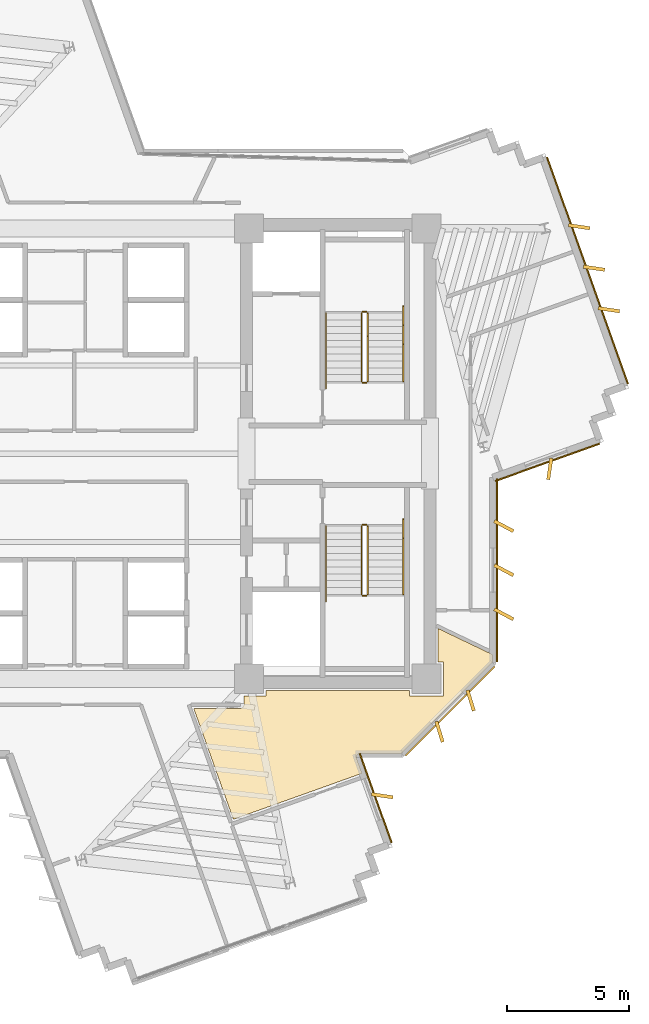
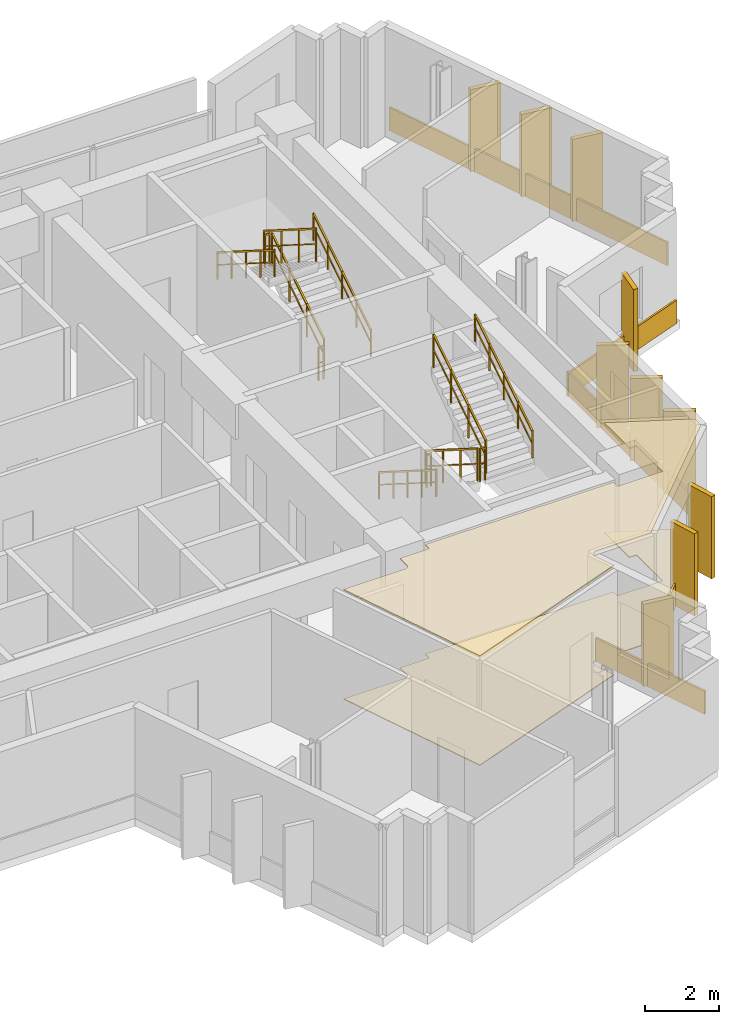
# One storey, part 12 of 13: 17 coverings, 12 railings.
"""IFC4 building model written with IfcOpenShell, lengths in metres."""

import ifcopenshell
import ifcopenshell.guid

model = None  # the IFC model being written
_history = None  # IfcOwnerHistory: only IFC2X3 demands one
_inside = {}  # id of a spatial element -> (the spatial element, [elements in it])
_under = {}  # id of a project, library or spatial element -> (it, [spatial elements below it])
_declared = {}  # id of a project -> (the project, [libraries it declares])
_typed = {}  # id of a type object -> (the type object, [elements of that type])
_made_of = {}  # id of a material, layer set ... -> (it, [elements and type objects made of it])


def new_model(schema):
    """Start an empty IFC model of exactly this schema.

    Asked for "IFC4X3", IfcOpenShell would pick the latest addendum, in which some entities
    have other attributes; the version numbers below select the first issue.
    IFC2X3 requires an IfcOwnerHistory on every rooted entity: one is made here for all.
    """
    global model, _history
    if schema == "IFC4X3":
        model = ifcopenshell.file(schema_version=(4, 3, 0, 0))
    else:
        model = ifcopenshell.file(schema=schema)
    _inside.clear()
    _under.clear()
    _declared.clear()
    _typed.clear()
    _made_of.clear()
    _history = None
    if model.schema == "IFC2X3":
        org = make("IfcOrganization", Name="unknown")
        user = make(
            "IfcPersonAndOrganization",
            ThePerson=make("IfcPerson", FamilyName="unknown"),
            TheOrganization=org,
        )
        app = make(
            "IfcApplication",
            ApplicationDeveloper=org,
            Version="unknown",
            ApplicationFullName="unknown",
            ApplicationIdentifier="unknown",
        )
        _history = make(
            "IfcOwnerHistory",
            OwningUser=user,
            OwningApplication=app,
            ChangeAction="ADDED",
            CreationDate=0,
        )
    return model


def make(cls, **values):
    """One entity of the class cls with the attributes given. An attribute that is None is left unset."""
    return model.create_entity(
        cls, **{name: value for name, value in values.items() if value is not None}
    )


def rooted(cls, **values):
    """An entity with a GlobalId (a new one), such as an element, a storey or a relation."""
    return make(cls, GlobalId=ifcopenshell.guid.new(), OwnerHistory=_history, **values)


def si_unit(unit_type, name, prefix=None):
    """IfcSIUnit, for example si_unit("LENGTHUNIT", "METRE", prefix="MILLI")."""
    return make("IfcSIUnit", UnitType=unit_type, Prefix=prefix, Name=name)


def assignment(units):
    """IfcUnitAssignment: the units of a project."""
    return None if units is None else make("IfcUnitAssignment", Units=units)


def point(xyz):
    """IfcCartesianPoint."""
    return None if xyz is None else make("IfcCartesianPoint", Coordinates=xyz)


def direction(xyz):
    """IfcDirection."""
    return None if xyz is None else make("IfcDirection", DirectionRatios=xyz)


def frame(location, z_axis=None, x_axis=None):
    """IfcAxis2Placement3D, a coordinate frame: its origin and axes. An axis left out is left unset."""
    return make(
        "IfcAxis2Placement3D",
        Location=point(location),
        Axis=direction(z_axis),
        RefDirection=direction(x_axis),
    )


def frame_2d(location, x_axis=None):
    """IfcAxis2Placement2D, a coordinate frame in the plane: its origin and x axis."""
    return make(
        "IfcAxis2Placement2D", Location=point(location), RefDirection=direction(x_axis)
    )


def origin():
    """The frame at (0, 0, 0) with its axes left unset."""
    return frame((0.0, 0.0, 0.0))


def origin_2d():
    """The frame at (0, 0) in the plane with its x axis left unset."""
    return frame_2d((0.0, 0.0))


def place(relative_to, where):
    """IfcLocalPlacement: puts the frame where relative to a parent placement (None: the world)."""
    return make(
        "IfcLocalPlacement", PlacementRelTo=relative_to, RelativePlacement=where
    )


def context(
    kind, dimensions, precision=None, world=None, true_north=None, identifier=None
):
    """IfcGeometricRepresentationContext, for example the 3D "Model" context."""
    return make(
        "IfcGeometricRepresentationContext",
        ContextIdentifier=identifier,
        ContextType=kind,
        CoordinateSpaceDimension=dimensions,
        Precision=precision,
        WorldCoordinateSystem=world,
        TrueNorth=true_north,
    )


def subcontext(parent, identifier, kind, view, scale=None):
    """IfcGeometricRepresentationSubContext, for example "Body" below "Model"."""
    return make(
        "IfcGeometricRepresentationSubContext",
        ContextIdentifier=identifier,
        ContextType=kind,
        ParentContext=parent,
        TargetScale=scale,
        TargetView=view,
    )


def project(units=None, contexts=None):
    """IfcProject with its units and contexts."""
    return rooted(
        "IfcProject",
        Name="project",
        RepresentationContexts=contexts,
        UnitsInContext=assignment(units),
    )


def spatial(cls, under=None, at=None, **own):
    """A site, building, storey or space (cls), placed at a placement, below another one or the project."""
    s = rooted(cls, ObjectPlacement=at, **own)
    if under is not None:
        _under.setdefault(under.id(), (under, []))[1].append(s)
    return s


def polyline(points):
    """IfcPolyline through the points."""
    return make("IfcPolyline", Points=[point(p) for p in points])


def profile(cls, at=None, kind="AREA", **sizes):
    """A parametric profile (cls). Its sizes go by their IFC names, for example OverallWidth=200.0."""
    return make(cls, ProfileType=kind, Position=at, **sizes)


def rectangle(**sizes):
    """IfcRectangleProfileDef."""
    return profile("IfcRectangleProfileDef", **sizes)


def outline(outer, holes=None, kind="AREA"):
    """IfcArbitraryClosedProfileDef: a profile drawn as a closed curve; with holes, ...WithVoids."""
    if holes is None:
        return make("IfcArbitraryClosedProfileDef", ProfileType=kind, OuterCurve=outer)
    return make(
        "IfcArbitraryProfileDefWithVoids",
        ProfileType=kind,
        OuterCurve=outer,
        InnerCurves=holes,
    )


def extrude(swept, where, along, depth):
    """IfcExtrudedAreaSolid: the profile swept, set in the frame where, extruded along a direction by depth."""
    return make(
        "IfcExtrudedAreaSolid",
        SweptArea=swept,
        Position=where,
        ExtrudedDirection=direction(along),
        Depth=depth,
    )


def shape(context_of_items, identifier, shape_type, items):
    """IfcShapeRepresentation: the items that make up one representation, for example the "Body"."""
    return make(
        "IfcShapeRepresentation",
        ContextOfItems=context_of_items,
        RepresentationIdentifier=identifier,
        RepresentationType=shape_type,
        Items=items,
    )


def source(mapping_origin, context_of_items, identifier, shape_type, items):
    """IfcRepresentationMap: a shape defined once, which mapped items show again and again."""
    return make(
        "IfcRepresentationMap",
        MappingOrigin=mapping_origin,
        MappedRepresentation=shape(context_of_items, identifier, shape_type, items),
    )


def transform(
    local_origin,
    x_axis=None,
    y_axis=None,
    z_axis=None,
    scale=None,
    scale2=None,
    scale3=None,
    uniform=True,
):
    """IfcCartesianTransformationOperator3D, or its non-uniform kind. x_axis, y_axis, z_axis: its Axis1, 2, 3."""
    if uniform:
        return make(
            "IfcCartesianTransformationOperator3D",
            Axis1=direction(x_axis),
            Axis2=direction(y_axis),
            LocalOrigin=point(local_origin),
            Scale=scale,
            Axis3=direction(z_axis),
        )
    return make(
        "IfcCartesianTransformationOperator3DnonUniform",
        Axis1=direction(x_axis),
        Axis2=direction(y_axis),
        LocalOrigin=point(local_origin),
        Scale=scale,
        Axis3=direction(z_axis),
        Scale2=scale2,
        Scale3=scale3,
    )


def mapped(mapping_source, mapping_target):
    """IfcMappedItem: shows the shape of a source again, moved by a transform."""
    return make(
        "IfcMappedItem", MappingSource=mapping_source, MappingTarget=mapping_target
    )


def material(Name=None, Category=None):
    """IfcMaterial."""
    return make("IfcMaterial", Name=Name, Category=Category)


def layer(
    of_material, thickness, ventilated=None, Name=None, Category=None, Priority=None
):
    """IfcMaterialLayer: one layer of a wall or slab, of a material (None: an air gap)."""
    return make(
        "IfcMaterialLayer",
        Material=of_material,
        LayerThickness=thickness,
        IsVentilated=ventilated,
        Name=Name,
        Category=Category,
        Priority=Priority,
    )


def layer_set(layers, Name=None):
    """IfcMaterialLayerSet."""
    return make("IfcMaterialLayerSet", MaterialLayers=layers, LayerSetName=Name)


def made_of(thing, what):
    """Note that an element or type object is made of a material, layer set ...; save() writes the relation."""
    if what is not None:
        _made_of.setdefault(what.id(), (what, []))[1].append(thing)
    return thing


def type_object(cls, material=None, **own):
    """A type object (cls), such as IfcWallType, which elements share."""
    return made_of(rooted(cls, **own), material)


def element(
    cls,
    number,
    at=None,
    inside=None,
    cuts=None,
    type_object=None,
    material=None,
    context=None,
    identifier="Body",
    shape_type=None,
    held_by="IfcProductDefinitionShape",
    body=None,
    shapes=None,
    **own,
):
    """One element of the class cls, such as IfcWall. Its Tag is "e" and its number.

    at: its placement. inside: the storey or other place that contains it. cuts: it is an
    opening in that element (IfcRelVoidsElement). A single representation is given by context,
    identifier, shape_type and body (its items); several are given by shapes. held_by: the class
    of the entity that holds the representations. save() writes the other relations.
    """
    e = rooted(cls, Tag="e%d" % number, ObjectPlacement=at, **own)
    if body is not None:
        shapes = [shape(context, identifier, shape_type, body)]
    if shapes is not None:
        e.Representation = make(held_by, Representations=shapes)
    if inside is not None:
        _inside.setdefault(inside.id(), (inside, []))[1].append(e)
    if cuts is not None:
        rooted(
            "IfcRelVoidsElement", RelatingBuildingElement=cuts, RelatedOpeningElement=e
        )
    if type_object is not None:
        _typed.setdefault(type_object.id(), (type_object, []))[1].append(e)
    return made_of(e, material)


def aggregate(whole, parts):
    """IfcRelAggregates: a whole, such as a stair, and the parts it consists of."""
    return rooted("IfcRelAggregates", RelatingObject=whole, RelatedObjects=parts)


def save(model, path):
    """Write the relations noted so far, then the file.

    IfcRelAggregates (storeys below a building ...), IfcRelContainedInSpatialStructure (elements
    in a storey), IfcRelDefinesByType, IfcRelAssociatesMaterial and IfcRelDeclares: one each for
    every whole, place, type object, material and project.
    """
    for whole, parts in _under.values():
        aggregate(whole, parts)
    for where, things in _inside.values():
        rooted(
            "IfcRelContainedInSpatialStructure",
            RelatedElements=things,
            RelatingStructure=where,
        )
    for kind, things in _typed.values():
        rooted("IfcRelDefinesByType", RelatedObjects=things, RelatingType=kind)
    for what, things in _made_of.values():
        rooted("IfcRelAssociatesMaterial", RelatedObjects=things, RelatingMaterial=what)
    for by, libraries in _declared.values():
        rooted("IfcRelDeclares", RelatingContext=by, RelatedDefinitions=libraries)
    model.write(path)


model = new_model("IFC4")

# Units and contexts
model_context = context("Model", 3, precision=1e-05, world=origin(), true_north=direction((0.0, 1.0)))
body_context = subcontext(model_context, "Body", "Model", "MODEL_VIEW")
ifc_project = project(units=[si_unit("LENGTHUNIT", "METRE"), si_unit("AREAUNIT", "SQUARE_METRE"), si_unit("VOLUMEUNIT", "CUBIC_METRE"), si_unit("PLANEANGLEUNIT", "RADIAN"), si_unit("MASSUNIT", "GRAM", prefix="KILO")], contexts=[model_context])

# Site, building, storey
site_placement = place(None, origin())
site = spatial("IfcSite", under=ifc_project, at=site_placement, CompositionType="ELEMENT")
building_placement = place(site_placement, origin())
building = spatial("IfcBuilding", under=site, at=building_placement, Name="Zahravan Cultural Tower", CompositionType="ELEMENT")
storey_placement = place(building_placement, frame((0.0, 0.0, 221.39990234375)))
storey = spatial("IfcBuildingStorey", under=building, at=storey_placement, Name="L52", CompositionType="ELEMENT", Elevation=221.39990234375)

# Coverings
ifc_material_1 = material(Name="Acoustic mineral fibreboard")
ifc_layer_1 = layer(ifc_material_1, 0.0400390625)
ifc_layer_set_1 = layer_set([ifc_layer_1], Name="Acoustic mineral fibreboard")
covering_type_1 = type_object("IfcCoveringType", Name="COV-CEIL-AC20", PredefinedType="CEILING", material=ifc_layer_set_1)
covering_1_placement = place(storey_placement, frame((0.0, 0.0, 3.580078125)))
element("IfcCovering", 1, at=covering_1_placement, inside=storey, type_object=covering_type_1, Name="L52 Acoustic Suspended Ceiling", PredefinedType="CEILING", context=body_context, shape_type="SweptSolid", body=[
    extrude(outline(polyline([(47.494384765625, 14.5693359375), (47.49951171875, 14.65576171875), (47.546142578125, 14.721923828125), (47.60302734375, 14.75341796875), (47.64697265625, 14.760009765625), (49.333740234375, 14.760009765625), (53.0400390625, 18.46630859375), (53.0400390625, 18.7998046875), (50.830078125, 19.85888671875), (50.830078125, 18.5), (51.050048828125, 18.5), (51.050048828125, 17.10009765625), (49.64990234375, 17.10009765625), (49.64990234375, 17.320068359375), (43.800048828125, 17.320068359375), (43.800048828125, 17.10009765625), (42.889892578125, 17.10009765625), (42.8896484375, 16.716064453125), (42.853515625, 16.639404296875), (42.78173828125, 16.601318359375), (40.842529296875, 16.60009765625), (42.463623046875, 12.064208984375), (47.71826171875, 13.94189453125), (47.494384765625, 14.5693359375)])), origin(), (0.0, 0.0, 1.0), 0.0400390625),
])
ifc_material_2 = material(Name="Terrazzo flooring")
ifc_layer_2 = layer(ifc_material_2, 0.02490234375)
ifc_layer_set_2 = layer_set([ifc_layer_2], Name="Terrazzo flooring")
covering_type_2 = type_object("IfcCoveringType", Name="COV-FLR-TZ25", PredefinedType="FLOORING", material=ifc_layer_set_2)
covering_2_placement = place(storey_placement, origin())
element("IfcCovering", 2, at=covering_2_placement, inside=storey, type_object=covering_type_2, Name="L52 Polished Terrazzo Flooring", PredefinedType="FLOORING", context=body_context, shape_type="SweptSolid", body=[
    extrude(outline(polyline([(47.494384765625, 14.5693359375), (47.49951171875, 14.65576171875), (47.546142578125, 14.721923828125), (47.60302734375, 14.75341796875), (47.64697265625, 14.760009765625), (49.333740234375, 14.760009765625), (53.0400390625, 18.46630859375), (53.0400390625, 18.7998046875), (50.830078125, 19.85888671875), (50.830078125, 18.5), (51.050048828125, 18.5), (51.050048828125, 17.10009765625), (49.64990234375, 17.10009765625), (49.64990234375, 17.320068359375), (43.800048828125, 17.320068359375), (43.800048828125, 17.10009765625), (42.889892578125, 17.10009765625), (42.8896484375, 16.716064453125), (42.853515625, 16.639404296875), (42.78173828125, 16.601318359375), (40.842529296875, 16.60009765625), (42.463623046875, 12.064208984375), (47.71826171875, 13.94189453125), (47.494384765625, 14.5693359375)])), origin(), (0.0, 0.0, 1.0), 0.025146484375),
])

# Railings
ifc_material_3 = material(Name="Steel ASTM A572 Grade 50", Category="steel")
railing_type_1 = type_object("IfcRailingType", Name="RL-STAIR-GRD1150", PredefinedType="BALUSTRADE", material=ifc_material_3)
railing_1_placement = place(storey_placement, frame((47.949951171875, 29.949951171875, 0.177490234375)))
element("IfcRailing", 3, at=railing_1_placement, inside=storey, type_object=railing_type_1, Name="L52 ST-E1 stair guard 1", PredefinedType="BALUSTRADE", context=body_context, shape_type="SweptSolid", body=[
    extrude(rectangle(XDim=0.05, YDim=0.05, at=origin_2d()), frame((0.0, 0.0, 1.0751953125), z_axis=(0.0, 0.844908973607, 0.534910110503), x_axis=(-1.0, 0.0, 0.0)), (0.0, 0.0, 1.0), 3.31396484375),
    extrude(rectangle(XDim=0.032, YDim=0.032, at=origin_2d()), frame((0.0, 0.0, 0.572021484375), z_axis=(0.0, 0.844908973607, 0.534910110503), x_axis=(-1.0, 0.0, 0.0)), (0.0, 0.0, 1.0), 3.31396484375),
    extrude(rectangle(XDim=0.04, YDim=0.04, at=origin_2d()), origin(), (0.0, 0.0, 1.0), 1.10009765625),
    extrude(rectangle(XDim=0.04, YDim=0.04, at=origin_2d()), frame((0.0, 0.933349609375, 0.5908203125)), (0.0, 0.0, 1.0), 1.10009765625),
    extrude(rectangle(XDim=0.04, YDim=0.04, at=origin_2d()), frame((0.0, 1.86669921875, 1.181884765625)), (0.0, 0.0, 1.0), 1.10009765625),
    extrude(rectangle(XDim=0.04, YDim=0.04, at=origin_2d()), frame((0.0, 2.800048828125, 1.772705078125)), (0.0, 0.0, 1.0), 1.10009765625),
])
railing_2_placement = place(storey_placement, frame((47.89990234375, 32.800048828125, 1.9501953125)))
element("IfcRailing", 4, at=railing_2_placement, inside=storey, type_object=railing_type_1, Name="L52 ST-E1 stair guard 2", PredefinedType="BALUSTRADE", context=body_context, shape_type="SweptSolid", body=[
    extrude(rectangle(XDim=0.05, YDim=0.05, at=origin_2d()), frame((0.0, 0.0, 1.0751953125), z_axis=(-1.0, 0.0, 0.0), x_axis=(0.0, -1.0, 0.0)), (0.0, 0.0, 1.0), 0.14990234375),
    extrude(rectangle(XDim=0.032, YDim=0.032, at=origin_2d()), frame((0.0, 0.0, 0.572021484375), z_axis=(-1.0, 0.0, 0.0), x_axis=(0.0, -1.0, 0.0)), (0.0, 0.0, 1.0), 0.14990234375),
    extrude(rectangle(XDim=0.04, YDim=0.04, at=origin_2d()), origin(), (0.0, 0.0, 1.0), 1.10009765625),
    extrude(rectangle(XDim=0.04, YDim=0.04, at=origin_2d()), frame((-0.14990234375, 0.0, 0.0)), (0.0, 0.0, 1.0), 1.10009765625),
])
railing_3_placement = place(storey_placement, frame((47.699951171875, 32.75, 2.12744140625)))
element("IfcRailing", 5, at=railing_3_placement, inside=storey, type_object=railing_type_1, Name="L52 ST-E1 stair guard 3", PredefinedType="BALUSTRADE", context=body_context, shape_type="SweptSolid", body=[
    extrude(rectangle(XDim=0.05, YDim=0.05, at=origin_2d()), frame((0.0, 0.0, 1.0751953125), z_axis=(0.0, -0.844908973607, 0.534910110503), x_axis=(1.0, 0.0, 0.0)), (0.0, 0.0, 1.0), 3.31396484375),
    extrude(rectangle(XDim=0.032, YDim=0.032, at=origin_2d()), frame((0.0, 0.0, 0.572021484375), z_axis=(0.0, -0.844908973607, 0.534910110503), x_axis=(1.0, 0.0, 0.0)), (0.0, 0.0, 1.0), 3.31396484375),
    extrude(rectangle(XDim=0.04, YDim=0.04, at=origin_2d()), origin(), (0.0, 0.0, 1.0), 1.10009765625),
    extrude(rectangle(XDim=0.04, YDim=0.04, at=origin_2d()), frame((0.0, -0.933349609375, 0.5908203125)), (0.0, 0.0, 1.0), 1.10009765625),
    extrude(rectangle(XDim=0.04, YDim=0.04, at=origin_2d()), frame((0.0, -1.86669921875, 1.181884765625)), (0.0, 0.0, 1.0), 1.10009765625),
    extrude(rectangle(XDim=0.04, YDim=0.04, at=origin_2d()), frame((0.0, -2.800048828125, 1.772705078125)), (0.0, 0.0, 1.0), 1.10009765625),
])
railing_4_placement = place(storey_placement, frame((47.89990234375, 29.89990234375, 0.0)))
element("IfcRailing", 6, at=railing_4_placement, inside=storey, type_object=railing_type_1, Name="L52 ST-E1 stair guard 4", PredefinedType="BALUSTRADE", context=body_context, shape_type="SweptSolid", body=[
    extrude(rectangle(XDim=0.05, YDim=0.05, at=origin_2d()), frame((0.0, 0.0, 1.0751953125), z_axis=(-1.0, 0.0, 0.0), x_axis=(0.0, -1.0, 0.0)), (0.0, 0.0, 1.0), 0.14990234375),
    extrude(rectangle(XDim=0.032, YDim=0.032, at=origin_2d()), frame((0.0, 0.0, 0.572021484375), z_axis=(-1.0, 0.0, 0.0), x_axis=(0.0, -1.0, 0.0)), (0.0, 0.0, 1.0), 0.14990234375),
    extrude(rectangle(XDim=0.04, YDim=0.04, at=origin_2d()), origin(), (0.0, 0.0, 1.0), 1.10009765625),
    extrude(rectangle(XDim=0.04, YDim=0.04, at=origin_2d()), frame((-0.14990234375, 0.0, 0.0)), (0.0, 0.0, 1.0), 1.10009765625),
])
railing_5_placement = place(storey_placement, frame((47.699951171875, 24.050048828125, 0.177490234375)))
element("IfcRailing", 7, at=railing_5_placement, inside=storey, type_object=railing_type_1, Name="L52 ST-E2 stair guard 1", PredefinedType="BALUSTRADE", context=body_context, shape_type="SweptSolid", body=[
    extrude(rectangle(XDim=0.05, YDim=0.05, at=origin_2d()), frame((0.0, 0.0, 1.0751953125), z_axis=(0.0, -0.844908973607, 0.534910110503), x_axis=(1.0, 0.0, 0.0)), (0.0, 0.0, 1.0), 3.31396484375),
    extrude(rectangle(XDim=0.032, YDim=0.032, at=origin_2d()), frame((0.0, 0.0, 0.572021484375), z_axis=(0.0, -0.844908973607, 0.534910110503), x_axis=(1.0, 0.0, 0.0)), (0.0, 0.0, 1.0), 3.31396484375),
    extrude(rectangle(XDim=0.04, YDim=0.04, at=origin_2d()), origin(), (0.0, 0.0, 1.0), 1.10009765625),
    extrude(rectangle(XDim=0.04, YDim=0.04, at=origin_2d()), frame((0.0, -0.933349609375, 0.5908203125)), (0.0, 0.0, 1.0), 1.10009765625),
    extrude(rectangle(XDim=0.04, YDim=0.04, at=origin_2d()), frame((0.0, -1.86669921875, 1.181884765625)), (0.0, 0.0, 1.0), 1.10009765625),
    extrude(rectangle(XDim=0.04, YDim=0.04, at=origin_2d()), frame((0.0, -2.800048828125, 1.772705078125)), (0.0, 0.0, 1.0), 1.10009765625),
])
railing_6_placement = place(storey_placement, frame((47.75, 21.199951171875, 1.9501953125)))
element("IfcRailing", 8, at=railing_6_placement, inside=storey, type_object=railing_type_1, Name="L52 ST-E2 stair guard 2", PredefinedType="BALUSTRADE", context=body_context, shape_type="SweptSolid", body=[
    extrude(rectangle(XDim=0.05, YDim=0.05, at=origin_2d()), frame((0.0, 0.0, 1.0751953125), z_axis=(1.0, 0.0, 0.0), x_axis=(0.0, 1.0, 0.0)), (0.0, 0.0, 1.0), 0.14990234375),
    extrude(rectangle(XDim=0.032, YDim=0.032, at=origin_2d()), frame((0.0, 0.0, 0.572021484375), z_axis=(1.0, 0.0, 0.0), x_axis=(0.0, 1.0, 0.0)), (0.0, 0.0, 1.0), 0.14990234375),
    extrude(rectangle(XDim=0.04, YDim=0.04, at=origin_2d()), origin(), (0.0, 0.0, 1.0), 1.10009765625),
    extrude(rectangle(XDim=0.04, YDim=0.04, at=origin_2d()), frame((0.14990234375, 0.0, 0.0)), (0.0, 0.0, 1.0), 1.10009765625),
])
railing_7_placement = place(storey_placement, frame((47.949951171875, 21.25, 2.12744140625)))
element("IfcRailing", 9, at=railing_7_placement, inside=storey, type_object=railing_type_1, Name="L52 ST-E2 stair guard 3", PredefinedType="BALUSTRADE", context=body_context, shape_type="SweptSolid", body=[
    extrude(rectangle(XDim=0.05, YDim=0.05, at=origin_2d()), frame((0.0, 0.0, 1.0751953125), z_axis=(0.0, 0.844908973607, 0.534910110503), x_axis=(-1.0, 0.0, 0.0)), (0.0, 0.0, 1.0), 3.31396484375),
    extrude(rectangle(XDim=0.032, YDim=0.032, at=origin_2d()), frame((0.0, 0.0, 0.572021484375), z_axis=(0.0, 0.844908973607, 0.534910110503), x_axis=(-1.0, 0.0, 0.0)), (0.0, 0.0, 1.0), 3.31396484375),
    extrude(rectangle(XDim=0.04, YDim=0.04, at=origin_2d()), origin(), (0.0, 0.0, 1.0), 1.10009765625),
    extrude(rectangle(XDim=0.04, YDim=0.04, at=origin_2d()), frame((0.0, 0.933349609375, 0.5908203125)), (0.0, 0.0, 1.0), 1.10009765625),
    extrude(rectangle(XDim=0.04, YDim=0.04, at=origin_2d()), frame((0.0, 1.86669921875, 1.181884765625)), (0.0, 0.0, 1.0), 1.10009765625),
    extrude(rectangle(XDim=0.04, YDim=0.04, at=origin_2d()), frame((0.0, 2.800048828125, 1.772705078125)), (0.0, 0.0, 1.0), 1.10009765625),
])
railing_8_placement = place(storey_placement, frame((47.75, 24.10009765625, 0.0)))
element("IfcRailing", 10, at=railing_8_placement, inside=storey, type_object=railing_type_1, Name="L52 ST-E2 stair guard 4", PredefinedType="BALUSTRADE", context=body_context, shape_type="SweptSolid", body=[
    extrude(rectangle(XDim=0.05, YDim=0.05, at=origin_2d()), frame((0.0, 0.0, 1.0751953125), z_axis=(1.0, 0.0, 0.0), x_axis=(0.0, 1.0, 0.0)), (0.0, 0.0, 1.0), 0.14990234375),
    extrude(rectangle(XDim=0.032, YDim=0.032, at=origin_2d()), frame((0.0, 0.0, 0.572021484375), z_axis=(1.0, 0.0, 0.0), x_axis=(0.0, 1.0, 0.0)), (0.0, 0.0, 1.0), 0.14990234375),
    extrude(rectangle(XDim=0.04, YDim=0.04, at=origin_2d()), origin(), (0.0, 0.0, 1.0), 1.10009765625),
    extrude(rectangle(XDim=0.04, YDim=0.04, at=origin_2d()), frame((0.14990234375, 0.0, 0.0)), (0.0, 0.0, 1.0), 1.10009765625),
])
railing_type_2 = type_object("IfcRailingType", Name="RL-STAIR-HR900", PredefinedType="HANDRAIL", material=ifc_material_3)
railing_9_placement = place(storey_placement, frame((49.39990234375, 29.949951171875, 0.177490234375)))
element("IfcRailing", 11, at=railing_9_placement, inside=storey, type_object=railing_type_2, Name="L52 ST-E1 stair handrail 1", PredefinedType="HANDRAIL", context=body_context, shape_type="SweptSolid", body=[
    extrude(rectangle(XDim=0.05, YDim=0.05, at=origin_2d()), frame((0.0, 0.0, 0.875), z_axis=(0.0, 0.844913916606, 0.534902302785), x_axis=(-1.0, 0.0, 0.0)), (0.0, 0.0, 1.0), 3.6455078125),
    extrude(rectangle(XDim=0.032, YDim=0.032, at=origin_2d()), frame((0.0, 0.0, 0.468017578125), z_axis=(0.0, 0.844913916606, 0.534902302785), x_axis=(-1.0, 0.0, 0.0)), (0.0, 0.0, 1.0), 3.6455078125),
    extrude(rectangle(XDim=0.04, YDim=0.04, at=origin_2d()), origin(), (0.0, 0.0, 1.0), 0.89990234375),
    extrude(rectangle(XDim=0.04, YDim=0.04, at=origin_2d()), frame((0.0, 0.77001953125, 0.487548828125)), (0.0, 0.0, 1.0), 0.89990234375),
    extrude(rectangle(XDim=0.04, YDim=0.04, at=origin_2d()), frame((0.0, 1.5400390625, 0.97509765625)), (0.0, 0.0, 1.0), 0.89990234375),
    extrude(rectangle(XDim=0.04, YDim=0.04, at=origin_2d()), frame((0.0, 2.31005859375, 1.46240234375)), (0.0, 0.0, 1.0), 0.89990234375),
    extrude(rectangle(XDim=0.04, YDim=0.04, at=origin_2d()), frame((0.0, 3.080078125, 1.949951171875)), (0.0, 0.0, 1.0), 0.89990234375),
])
for number, where, name in (
    (12, (46.25, 32.75, 2.12744140625), "L52 ST-E1 stair handrail 2"),
    (13, (46.25, 24.050048828125, 0.177490234375), "L52 ST-E2 stair handrail 1"),
):
    element("IfcRailing", number, at=place(storey_placement, frame(where)), inside=storey, type_object=railing_type_2, Name=name, PredefinedType="HANDRAIL", context=body_context, shape_type="SweptSolid", body=[
        extrude(rectangle(XDim=0.05, YDim=0.05, at=origin_2d()), frame((0.0, 0.0, 0.875), z_axis=(0.0, -0.844913916606, 0.534902302785), x_axis=(1.0, 0.0, 0.0)), (0.0, 0.0, 1.0), 3.6455078125),
        extrude(rectangle(XDim=0.032, YDim=0.032, at=origin_2d()), frame((0.0, 0.0, 0.468017578125), z_axis=(0.0, -0.844913916606, 0.534902302785), x_axis=(1.0, 0.0, 0.0)), (0.0, 0.0, 1.0), 3.6455078125),
        extrude(rectangle(XDim=0.04, YDim=0.04, at=origin_2d()), origin(), (0.0, 0.0, 1.0), 0.89990234375),
        extrude(rectangle(XDim=0.04, YDim=0.04, at=origin_2d()), frame((0.0, -0.77001953125, 0.487548828125)), (0.0, 0.0, 1.0), 0.89990234375),
        extrude(rectangle(XDim=0.04, YDim=0.04, at=origin_2d()), frame((0.0, -1.5400390625, 0.97509765625)), (0.0, 0.0, 1.0), 0.89990234375),
        extrude(rectangle(XDim=0.04, YDim=0.04, at=origin_2d()), frame((0.0, -2.31005859375, 1.46240234375)), (0.0, 0.0, 1.0), 0.89990234375),
        extrude(rectangle(XDim=0.04, YDim=0.04, at=origin_2d()), frame((0.0, -3.080078125, 1.949951171875)), (0.0, 0.0, 1.0), 0.89990234375),
    ])
railing_10_placement = place(storey_placement, frame((49.39990234375, 21.25, 2.12744140625)))
element("IfcRailing", 14, at=railing_10_placement, inside=storey, type_object=railing_type_2, Name="L52 ST-E2 stair handrail 2", PredefinedType="HANDRAIL", context=body_context, shape_type="SweptSolid", body=[
    extrude(rectangle(XDim=0.05, YDim=0.05, at=origin_2d()), frame((0.0, 0.0, 0.875), z_axis=(0.0, 0.844913916606, 0.534902302785), x_axis=(-1.0, 0.0, 0.0)), (0.0, 0.0, 1.0), 3.6455078125),
    extrude(rectangle(XDim=0.032, YDim=0.032, at=origin_2d()), frame((0.0, 0.0, 0.468017578125), z_axis=(0.0, 0.844913916606, 0.534902302785), x_axis=(-1.0, 0.0, 0.0)), (0.0, 0.0, 1.0), 3.6455078125),
    extrude(rectangle(XDim=0.04, YDim=0.04, at=origin_2d()), origin(), (0.0, 0.0, 1.0), 0.89990234375),
    extrude(rectangle(XDim=0.04, YDim=0.04, at=origin_2d()), frame((0.0, 0.77001953125, 0.487548828125)), (0.0, 0.0, 1.0), 0.89990234375),
    extrude(rectangle(XDim=0.04, YDim=0.04, at=origin_2d()), frame((0.0, 1.5400390625, 0.97509765625)), (0.0, 0.0, 1.0), 0.89990234375),
    extrude(rectangle(XDim=0.04, YDim=0.04, at=origin_2d()), frame((0.0, 2.31005859375, 1.46240234375)), (0.0, 0.0, 1.0), 0.89990234375),
    extrude(rectangle(XDim=0.04, YDim=0.04, at=origin_2d()), frame((0.0, 3.080078125, 1.949951171875)), (0.0, 0.0, 1.0), 0.89990234375),
])

# Coverings
ifc_material_4 = material(Name="Terracotta ceramic cladding", Category="masonry")
ifc_layer_3 = layer(ifc_material_4, 0.06005859375)
ifc_layer_set_3 = layer_set([ifc_layer_3], Name="Terracotta ceramic cladding")
covering_type_3 = type_object("IfcCoveringType", Name="COV-CLAD-TC60", PredefinedType="CLADDING", material=ifc_layer_set_3)
shared_shape_1 = source(origin(), body_context, "Body", "SweptSolid", [
    extrude(rectangle(XDim=9.820068359375, YDim=0.06005859375, at=origin_2d()), origin(), (0.0, 0.0, 1.0), 0.760009765625),
])
covering_3_placement = place(storey_placement, frame((56.9287109375, 34.479736328125, 0.02001953125), z_axis=(0.0, 0.0, 1.0), x_axis=(0.336552954434, -0.941664541576, 0.0)))
element("IfcCovering", 15, at=covering_3_placement, inside=storey, type_object=covering_type_3, Name="L52 Terracotta Spandrel Cladding 06", PredefinedType="CLADDING", context=body_context, shape_type="MappedRepresentation", body=[
    mapped(shared_shape_1, transform((0.0, 0.0, 0.0), x_axis=(1.0, 0.0, 0.0), y_axis=(0.0, 1.0, 0.0), z_axis=(0.0, 0.0, 1.0), scale=1.0)),
])
shared_shape_2 = source(origin(), body_context, "Body", "SweptSolid", [
    extrude(rectangle(XDim=5.157958984375, YDim=0.06005859375, at=origin_2d()), origin(), (0.0, 0.0, 1.0), 0.760009765625),
])
covering_4_placement = place(storey_placement, frame((51.317626953125, 16.482421875, 0.02001953125), z_axis=(0.0, 0.0, 1.0), x_axis=(-0.707106781187, -0.707106781187, 0.0)))
element("IfcCovering", 16, at=covering_4_placement, inside=storey, type_object=covering_type_3, Name="L52 Terracotta Spandrel Cladding 13", PredefinedType="CLADDING", context=body_context, shape_type="MappedRepresentation", body=[
    mapped(shared_shape_2, transform((0.0, 0.0, 0.0), x_axis=(1.0, 0.0, 0.0), y_axis=(0.0, 1.0, 0.0), z_axis=(0.0, 0.0, 1.0), scale=1.0)),
])
shared_shape_3 = source(origin(), body_context, "Body", "SweptSolid", [
    extrude(rectangle(XDim=0.8798828125, YDim=0.139892578125, at=origin_2d()), origin(), (0.0, 0.0, 1.0), 2.699951171875),
])
for number, where, z_axis, x_axis, name in (
    (17, (56.59130859375, 36.270751953125, 0.05029296875), (0.0, 0.0, 1.0), (0.989442481744, -0.144926102967, 0.0), "L52 Herringbone Terracotta Fin 01"),
    (18, (57.197021484375, 34.57568359375, 0.05029296875), (0.0, 0.0, 1.0), (0.989442481744, -0.144926102967, 0.0), "L52 Herringbone Terracotta Fin 02"),
    (19, (57.802734375, 32.880615234375, 0.05029296875), (0.0, 0.0, 1.0), (0.989442481744, -0.144926102967, 0.0), "L52 Herringbone Terracotta Fin 03"),
    (20, (55.38818359375, 26.37890625, 0.05029296875), (0.0, 0.0, 1.0), (-0.144926102967, -0.989442481744, 0.0), "L52 Herringbone Terracotta Fin 04"),
    (21, (53.510009765625, 24.041259765625, 0.05029296875), (0.0, 0.0, 1.0), (0.882947592859, -0.469471562786, 0.0), "L52 Herringbone Terracotta Fin 05"),
    (22, (53.510009765625, 22.2412109375, 0.05029296875), (0.0, 0.0, 1.0), (0.882947592859, -0.469471562786, 0.0), "L52 Herringbone Terracotta Fin 06"),
    (23, (53.510009765625, 20.44140625, 0.05029296875), (0.0, 0.0, 1.0), (0.882947592859, -0.469471562786, 0.0), "L52 Herringbone Terracotta Fin 07"),
    (24, (52.155517578125, 16.917236328125, 0.05029296875), (0.0, 0.0, 1.0), (0.292371704723, -0.956304755963, 0.0), "L52 Herringbone Terracotta Fin 08"),
    (25, (50.8828125, 15.644287109375, 0.05029296875), (0.0, 0.0, 1.0), (0.292371704723, -0.956304755963, 0.0), "L52 Herringbone Terracotta Fin 09"),
    (26, (48.54443359375, 13.02685546875, 0.05029296875), (0.0, 0.0, 1.0), (0.989439952155, -0.144943371974, 0.0), "L52 Herringbone Terracotta Fin 10"),
):
    element("IfcCovering", number, at=place(storey_placement, frame(where, z_axis=z_axis, x_axis=x_axis)), inside=storey, type_object=covering_type_3, Name=name, PredefinedType="CLADDING", context=body_context, shape_type="MappedRepresentation", body=[
        mapped(shared_shape_3, transform((0.0, 0.0, 0.0), x_axis=(1.0, 0.0, 0.0), y_axis=(0.0, 1.0, 0.0), z_axis=(0.0, 0.0, 1.0), scale=1.0)),
    ])
shared_shape_4 = source(origin(), body_context, "Body", "SweptSolid", [
    extrude(rectangle(XDim=4.5234375, YDim=0.06005859375, at=origin_2d()), origin(), (0.0, 0.0, 1.0), 0.760009765625),
])
covering_5_placement = place(storey_placement, frame((55.29248046875, 26.647216796875, 0.02001953125), z_axis=(0.0, 0.0, 1.0), x_axis=(-0.941664541576, -0.336552954434, 0.0)))
element("IfcCovering", 27, at=covering_5_placement, inside=storey, type_object=covering_type_3, Name="L52 Terracotta Spandrel Cladding 11", PredefinedType="CLADDING", context=body_context, shape_type="MappedRepresentation", body=[
    mapped(shared_shape_4, transform((0.0, 0.0, 0.0), x_axis=(1.0, 0.0, 0.0), y_axis=(0.0, 1.0, 0.0), z_axis=(0.0, 0.0, 1.0), scale=1.0)),
])
shared_shape_5 = source(origin(), body_context, "Body", "SweptSolid", [
    extrude(rectangle(XDim=7.466552734375, YDim=0.06005859375, at=origin_2d()), origin(), (0.0, 0.0, 1.0), 0.760009765625),
])
covering_6_placement = place(storey_placement, frame((53.22509765625, 22.2412109375, 0.02001953125), z_axis=(0.0, 0.0, 1.0), x_axis=(0.0, -1.0, 0.0)))
element("IfcCovering", 28, at=covering_6_placement, inside=storey, type_object=covering_type_3, Name="L52 Terracotta Spandrel Cladding 12", PredefinedType="CLADDING", context=body_context, shape_type="MappedRepresentation", body=[
    mapped(shared_shape_5, transform((0.0, 0.0, 0.0), x_axis=(1.0, 0.0, 0.0), y_axis=(0.0, 1.0, 0.0), z_axis=(0.0, 0.0, 1.0), scale=1.0)),
])
shared_shape_6 = source(origin(), body_context, "Body", "SweptSolid", [
    extrude(rectangle(XDim=3.8603515625, YDim=0.06005859375, at=origin_2d()), origin(), (0.0, 0.0, 1.0), 0.760009765625),
])
covering_7_placement = place(storey_placement, frame((48.27587890625, 12.930908203125, 0.02001953125), z_axis=(0.0, 0.0, 1.0), x_axis=(0.336536519236, -0.94167041539, 0.0)))
element("IfcCovering", 29, at=covering_7_placement, inside=storey, type_object=covering_type_3, Name="L52 Terracotta Spandrel Cladding 15", PredefinedType="CLADDING", context=body_context, shape_type="MappedRepresentation", body=[
    mapped(shared_shape_6, transform((0.0, 0.0, 0.0), x_axis=(1.0, 0.0, 0.0), y_axis=(0.0, 1.0, 0.0), z_axis=(0.0, 0.0, 1.0), scale=1.0)),
])

save(model, "model.ifc")
